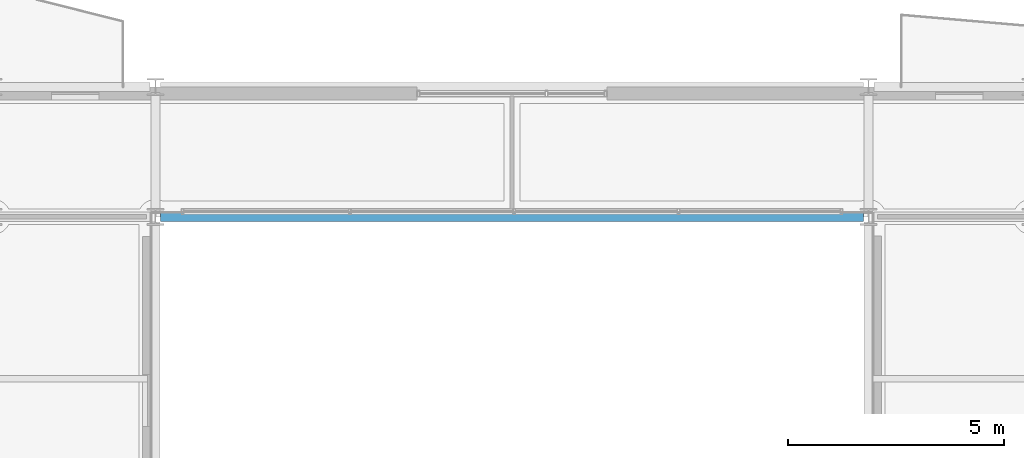
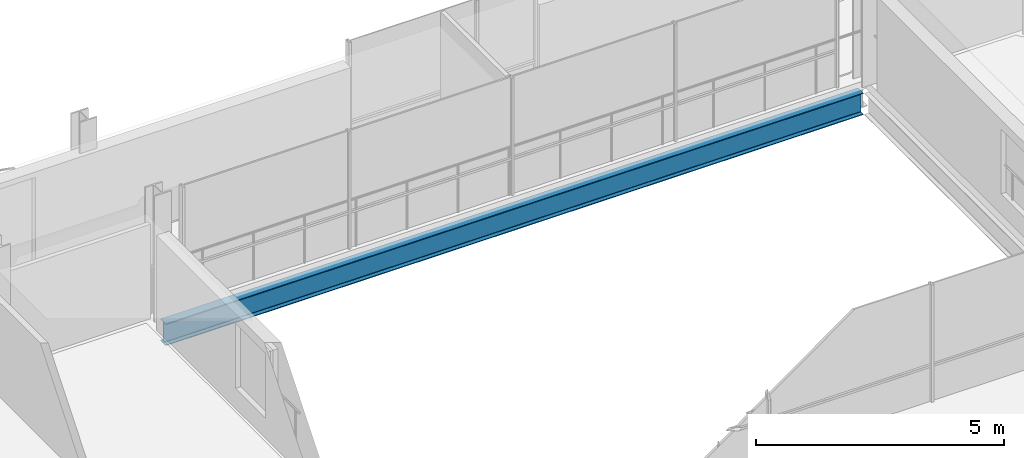
# One storey, part 10 of 38: 1 beam.
"""IFC4 building model written with IfcOpenShell, lengths in metres."""

from ifc_helpers import new_model, si_unit, direction, frame, origin, origin_2d, place, context, subcontext, project, spatial, i_section, extrude, material, material_profile, profile_set, type_object, element, save


model = new_model("IFC4")

# Units and contexts
model_context = context("Model", 3, precision=1e-05, world=origin(), true_north=direction((0.0, 1.0)))
body_context = subcontext(model_context, "Body", "Model", "MODEL_VIEW")
ifc_project = project(units=[si_unit("LENGTHUNIT", "METRE"), si_unit("AREAUNIT", "SQUARE_METRE"), si_unit("VOLUMEUNIT", "CUBIC_METRE"), si_unit("PLANEANGLEUNIT", "RADIAN"), si_unit("MASSUNIT", "GRAM", prefix="KILO")], contexts=[model_context])

# Site, building, storey
site_placement = place(None, origin())
site = spatial("IfcSite", under=ifc_project, at=site_placement, CompositionType="ELEMENT")
building_placement = place(site_placement, origin())
building = spatial("IfcBuilding", under=site, at=building_placement, Name="Brevholm Reach", CompositionType="ELEMENT")
storey_placement = place(building_placement, frame((0.0, 0.0, 186.300048828125)))
storey = spatial("IfcBuildingStorey", under=building, at=storey_placement, Name="L56", CompositionType="ELEMENT", Elevation=186.300048828125)

# Beam
ifc_material = material(Name="Structural Steel S355J2", Category="steel")
ifc_material_profile = material_profile(ifc_material, i_section(OverallWidth=0.210693359375, OverallDepth=0.53955078125, WebThickness=0.01171875, FlangeThickness=0.018798828125, FilletRadius=0.0126953125, at=origin_2d()), Name="UKB 533x210x109")
ifc_profile_set = profile_set([ifc_material_profile], Name="Structural Steel S355J2")
beam_type = type_object("IfcBeamType", Name="BM-SP539", PredefinedType="SPANDREL", material=ifc_profile_set)
beam_placement = place(storey_placement, frame((21.8701171875, 23.5, -0.479736328125), z_axis=(1.0, 0.0, 0.0), x_axis=(0.0, 1.0, 0.0)))
element("IfcBeam", 1, at=beam_placement, inside=storey, type_object=beam_type, Name="L56 SP-01B Framing Beam", PredefinedType="SPANDREL", context=body_context, shape_type="SweptSolid", body=[
    extrude(i_section(OverallWidth=0.210693359375, OverallDepth=0.53955078125, WebThickness=0.01171875, FlangeThickness=0.018798828125, FilletRadius=0.0126953125, at=origin_2d()), origin(), (0.0, 0.0, 1.0), 16.259765625),
])

save(model, "model.ifc")
